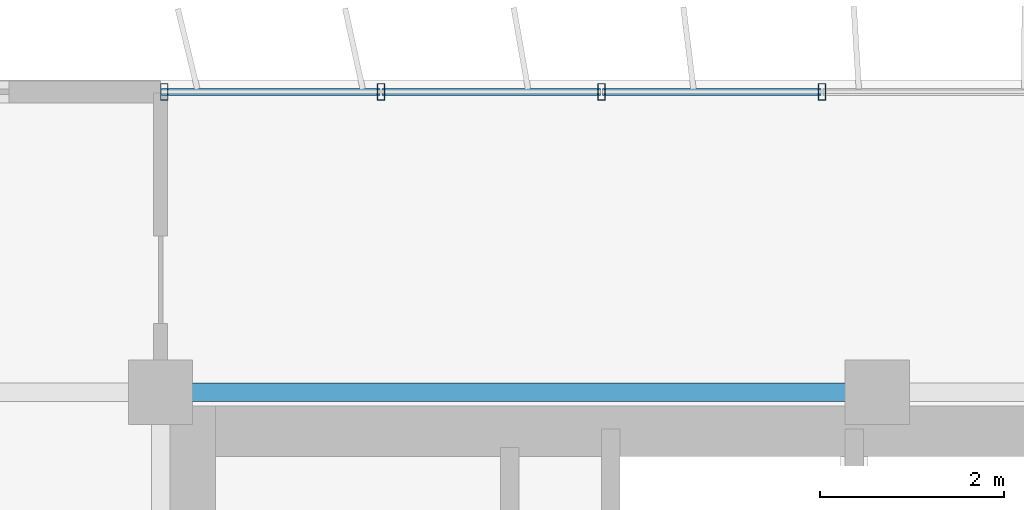
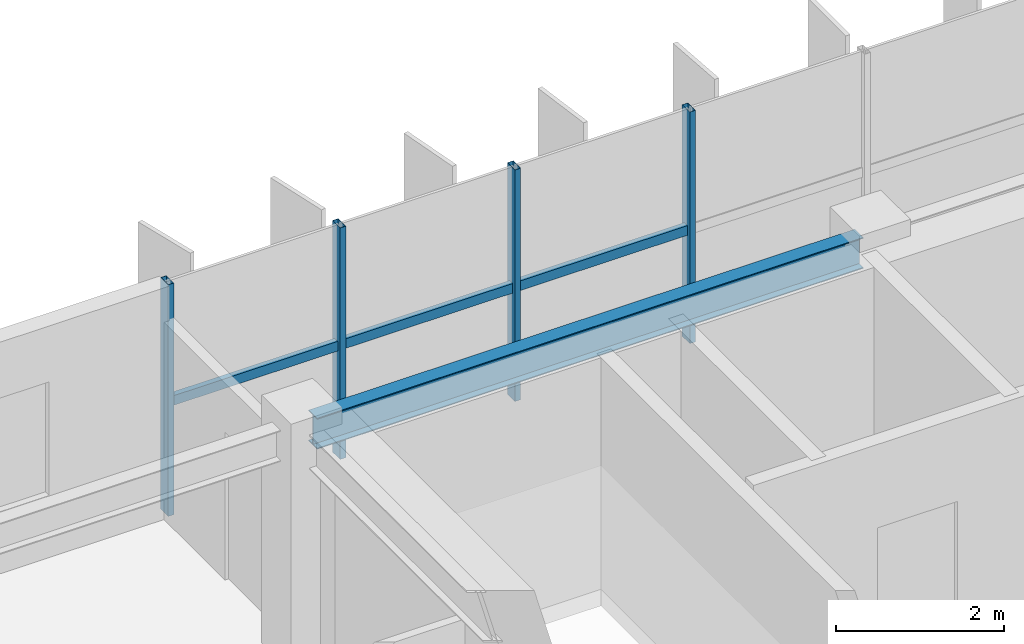
# One storey, part 6 of 19: 7 members, 1 beam, 1 element without a shape of its own.
"""IFC4 building model written with IfcOpenShell, lengths in metres."""

from ifc_helpers import new_model, si_unit, direction, frame, origin, origin_2d, place, context, subcontext, project, spatial, hollow_rectangle, i_section, extrude, source, transform, mapped, material, material_profile, profile_set, type_object, element, aggregate, save


model = new_model("IFC4")

# Units and contexts
model_context = context("Model", 3, precision=1e-05, world=origin(), true_north=direction((0.0, 1.0)))
body_context = subcontext(model_context, "Body", "Model", "MODEL_VIEW")
ifc_project = project(units=[si_unit("LENGTHUNIT", "METRE"), si_unit("AREAUNIT", "SQUARE_METRE"), si_unit("VOLUMEUNIT", "CUBIC_METRE"), si_unit("PLANEANGLEUNIT", "RADIAN"), si_unit("MASSUNIT", "GRAM", prefix="KILO")], contexts=[model_context])

# Site, building, storey
site_placement = place(None, origin())
site = spatial("IfcSite", under=ifc_project, at=site_placement, CompositionType="ELEMENT")
building_placement = place(site_placement, origin())
building = spatial("IfcBuilding", under=site, at=building_placement, Name="Trelvane Seafront Commons", CompositionType="ELEMENT")
storey_placement = place(building_placement, frame((0.0, 0.0, 215.699951171875)))
storey = spatial("IfcBuildingStorey", under=building, at=storey_placement, Name="L56", CompositionType="ELEMENT", Elevation=215.699951171875)

# Beam
ifc_material_1 = material(Name="Steel SM355 (S355)", Category="steel")
ifc_material_profile_1 = material_profile(ifc_material_1, i_section(OverallWidth=0.199951171875, OverallDepth=0.449951171875, WebThickness=0.009033203125, FlangeThickness=0.013916015625, at=origin_2d()), Name="H-450x200x9x14")
ifc_profile_set_1 = profile_set([ifc_material_profile_1], Name="Steel SM355 (S355)")
beam_type = type_object("IfcBeamType", Name="STR-SPD-H450", PredefinedType="SPANDREL", material=ifc_profile_set_1)
shared_shape_1 = source(origin(), body_context, "Body", "SweptSolid", [
    extrude(i_section(OverallWidth=0.199951171875, OverallDepth=0.449951171875, WebThickness=0.009033203125, FlangeThickness=0.013916015625, at=origin_2d()), origin(), (0.0, 0.0, 1.0), 7.5),
])
beam_placement = place(storey_placement, frame((15.75, 45.10009765625, 3.135009765625), z_axis=(1.0, 0.0, 0.0), x_axis=(0.0, 1.0, 0.0)))
element("IfcBeam", 1, at=beam_placement, inside=storey, type_object=beam_type, Name="L56 Primary Girder G-23", PredefinedType="SPANDREL", context=body_context, shape_type="MappedRepresentation", body=[
    mapped(shared_shape_1, transform((0.0, 0.0, 0.0), x_axis=(1.0, 0.0, 0.0), y_axis=(0.0, 1.0, 0.0), z_axis=(0.0, 0.0, 1.0), scale=1.0)),
])

# Curtain wall, members
ifc_material_2 = material(Name="Anodised pale-silver aluminium", Category="aluminium")
curtain_wall_type = type_object("IfcCurtainWallType", Name="ARCH-CW4-SKYLOBBY", PredefinedType="NOTDEFINED", material=ifc_material_2)
curtain_wall_placement = place(storey_placement, origin())
curtain_wall = element("IfcCurtainWall", 2, at=curtain_wall_placement, inside=storey, type_object=curtain_wall_type, Name="CW-L56-0099", PredefinedType="NOTDEFINED")
ifc_material_profile_2 = material_profile(ifc_material_2, hollow_rectangle(XDim=0.074951171875, YDim=0.139892578125, WallThickness=0.00390625, at=origin_2d()), Name="TRAN-75x140x4")
ifc_profile_set_2 = profile_set([ifc_material_profile_2], Name="Anodised pale-silver aluminium")
member_type_1 = type_object("IfcMemberType", Name="ARCH-CW-TRAN-140", PredefinedType="USERDEFINED", material=ifc_profile_set_2)
shared_shape_2 = source(origin(), body_context, "Body", "SweptSolid", [
    extrude(hollow_rectangle(XDim=0.074951171875, YDim=0.139892578125, WallThickness=0.00390625, at=origin_2d()), origin(), (0.0, 0.0, 1.0), 2.3759765625),
])
member_1_placement = place(storey_placement, frame((15.612060546875, 48.3701171875, 1.613037109375), z_axis=(1.0, 0.0, 0.0), x_axis=(0.0, 1.0, 0.0)))
member_1 = element("IfcMember", 3, at=member_1_placement, type_object=member_type_1, Name="CW-L56-0099-T00", ObjectType="TRANSOM", PredefinedType="USERDEFINED", context=body_context, shape_type="MappedRepresentation", body=[
    mapped(shared_shape_2, transform((0.0, 0.0, 0.0), x_axis=(1.0, 0.0, 0.0), y_axis=(0.0, 1.0, 0.0), z_axis=(0.0, 0.0, 1.0), scale=1.0)),
])
member_2_placement = place(storey_placement, frame((18.011962890625, 48.3701171875, 1.613037109375), z_axis=(1.0, 0.0, 0.0), x_axis=(0.0, 1.0, 0.0)))
member_2 = element("IfcMember", 4, at=member_2_placement, type_object=member_type_1, Name="CW-L56-0099-T01", ObjectType="TRANSOM", PredefinedType="USERDEFINED", context=body_context, shape_type="MappedRepresentation", body=[
    mapped(shared_shape_2, transform((0.0, 0.0, 0.0), x_axis=(1.0, 0.0, 0.0), y_axis=(0.0, 1.0, 0.0), z_axis=(0.0, 0.0, 1.0), scale=1.0)),
])
member_3_placement = place(storey_placement, frame((20.412109375, 48.3701171875, 1.613037109375), z_axis=(1.0, 0.0, 0.0), x_axis=(0.0, 1.0, 0.0)))
member_3 = element("IfcMember", 5, at=member_3_placement, type_object=member_type_1, Name="CW-L56-0099-T02", ObjectType="TRANSOM", PredefinedType="USERDEFINED", context=body_context, shape_type="MappedRepresentation", body=[
    mapped(shared_shape_2, transform((0.0, 0.0, 0.0), x_axis=(1.0, 0.0, 0.0), y_axis=(0.0, 1.0, 0.0), z_axis=(0.0, 0.0, 1.0), scale=1.0)),
])
ifc_material_profile_3 = material_profile(ifc_material_2, hollow_rectangle(XDim=0.080078125, YDim=0.179931640625, WallThickness=0.00439453125, at=origin_2d()), Name="MULL-80x180x4.5")
ifc_profile_set_3 = profile_set([ifc_material_profile_3], Name="Anodised pale-silver aluminium")
member_type_2 = type_object("IfcMemberType", Name="ARCH-CW-MULL-180", PredefinedType="MULLION", material=ifc_profile_set_3)
shared_shape_3 = source(origin(), body_context, "Body", "SweptSolid", [
    extrude(hollow_rectangle(XDim=0.080078125, YDim=0.179931640625, WallThickness=0.00439453125, at=origin_2d()), origin(), (0.0, 0.0, 1.0), 3.360107421875),
])
member_4_placement = place(storey_placement, frame((15.639892578125, 48.3701171875, 0.0), z_axis=(0.0, 0.0, 1.0), x_axis=(1.0, 0.0, 0.0)))
member_4 = element("IfcMember", 6, at=member_4_placement, type_object=member_type_2, Name="CW-L56-0099-M00", PredefinedType="MULLION", context=body_context, shape_type="MappedRepresentation", body=[
    mapped(shared_shape_3, transform((0.0, 0.0, 0.0), x_axis=(1.0, 0.0, 0.0), y_axis=(0.0, 1.0, 0.0), z_axis=(0.0, 0.0, 1.0), scale=1.0)),
])
member_5_placement = place(storey_placement, frame((18.0, 48.3701171875, 0.0), z_axis=(0.0, 0.0, 1.0), x_axis=(1.0, 0.0, 0.0)))
member_5 = element("IfcMember", 7, at=member_5_placement, type_object=member_type_2, Name="CW-L56-0099-M01", PredefinedType="MULLION", context=body_context, shape_type="MappedRepresentation", body=[
    mapped(shared_shape_3, transform((0.0, 0.0, 0.0), x_axis=(1.0, 0.0, 0.0), y_axis=(0.0, 1.0, 0.0), z_axis=(0.0, 0.0, 1.0), scale=1.0)),
])
member_6_placement = place(storey_placement, frame((20.39990234375, 48.3701171875, 0.0), z_axis=(0.0, 0.0, 1.0), x_axis=(1.0, 0.0, 0.0)))
member_6 = element("IfcMember", 8, at=member_6_placement, type_object=member_type_2, Name="CW-L56-0099-M02", PredefinedType="MULLION", context=body_context, shape_type="MappedRepresentation", body=[
    mapped(shared_shape_3, transform((0.0, 0.0, 0.0), x_axis=(1.0, 0.0, 0.0), y_axis=(0.0, 1.0, 0.0), z_axis=(0.0, 0.0, 1.0), scale=1.0)),
])
member_7_placement = place(storey_placement, frame((22.800048828125, 48.3701171875, 0.0), z_axis=(0.0, 0.0, 1.0), x_axis=(1.0, 0.0, 0.0)))
member_7 = element("IfcMember", 9, at=member_7_placement, type_object=member_type_2, Name="CW-L56-0099-M03", PredefinedType="MULLION", context=body_context, shape_type="MappedRepresentation", body=[
    mapped(shared_shape_3, transform((0.0, 0.0, 0.0), x_axis=(1.0, 0.0, 0.0), y_axis=(0.0, 1.0, 0.0), z_axis=(0.0, 0.0, 1.0), scale=1.0)),
])
aggregate(curtain_wall, [member_4, member_5, member_6, member_7, member_1, member_2, member_3])

save(model, "model.ifc")
